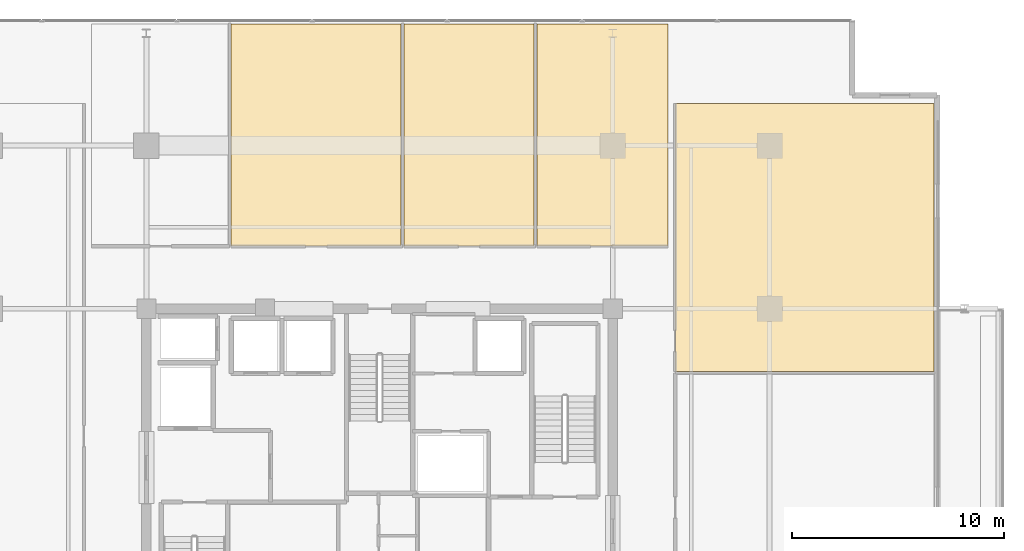
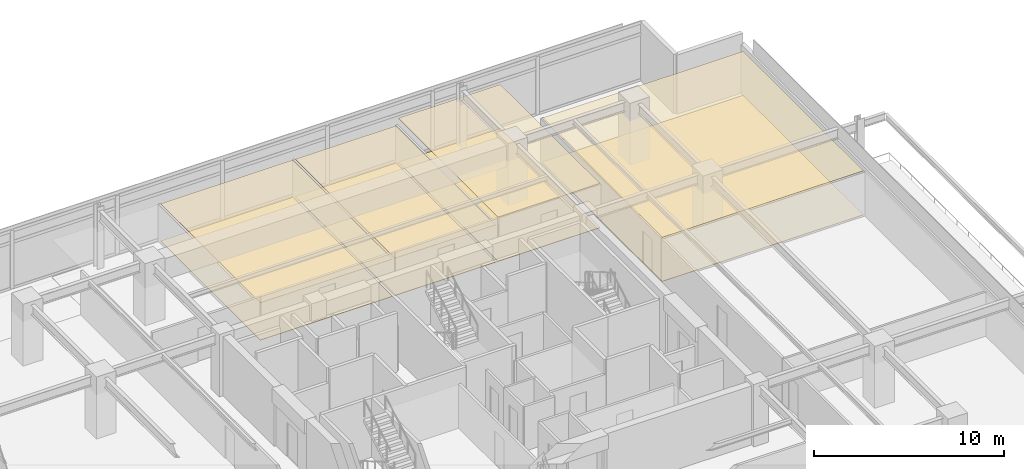
# One storey, part 21 of 21: 8 coverings.
"""IFC4 building model written with IfcOpenShell, lengths in metres."""

from ifc_helpers import new_model, si_unit, direction, frame, origin, place, context, subcontext, project, spatial, polyline, outline, extrude, material, layer, layer_set, type_object, element, save


model = new_model("IFC4")

# Units and contexts
model_context = context("Model", 3, precision=1e-05, world=origin(), true_north=direction((0.0, 1.0)))
body_context = subcontext(model_context, "Body", "Model", "MODEL_VIEW")
ifc_project = project(units=[si_unit("LENGTHUNIT", "METRE"), si_unit("AREAUNIT", "SQUARE_METRE"), si_unit("VOLUMEUNIT", "CUBIC_METRE"), si_unit("PLANEANGLEUNIT", "RADIAN"), si_unit("MASSUNIT", "GRAM", prefix="KILO")], contexts=[model_context])

# Site, building, storey
site_placement = place(None, origin())
site = spatial("IfcSite", under=ifc_project, at=site_placement, CompositionType="ELEMENT")
building_placement = place(site_placement, origin())
building = spatial("IfcBuilding", under=site, at=building_placement, Name="Kovane Verandah Tower", CompositionType="ELEMENT")
storey_placement = place(building_placement, frame((0.0, 0.0, 263.199951171875)))
storey = spatial("IfcBuildingStorey", under=building, at=storey_placement, Name="L61", CompositionType="ELEMENT", Elevation=263.199951171875)

# Coverings
ifc_material_1 = material(Name="Perforated Acoustic Mineral-Fibre Ceiling Tile", Category="gypsum")
ifc_layer_1 = layer(ifc_material_1, 0.02490234375)
ifc_layer_set_1 = layer_set([ifc_layer_1], Name="Perforated Acoustic Mineral-Fibre Ceiling Tile")
covering_type_1 = type_object("IfcCoveringType", Name="CV-CEIL-25", PredefinedType="CEILING", material=ifc_layer_set_1)
covering_1_placement = place(storey_placement, frame((0.0, 0.0, 2.39013671875)))
element("IfcCovering", 1, at=covering_1_placement, inside=storey, type_object=covering_type_1, Name="L61 Collaboration Hub N2 Acoustic Ceiling", PredefinedType="CEILING", context=body_context, shape_type="SweptSolid", body=[
    extrude(outline(polyline([(32.998046875, 39.449951171875), (41.01806640625, 39.449951171875), (41.01806640625, 49.929931640625), (32.998046875, 49.929931640625), (32.998046875, 39.449951171875)])), origin(), (0.0, 0.0, 1.0), 0.02490234375),
])
covering_2_placement = place(storey_placement, frame((0.0, 0.0, 2.39013671875)))
element("IfcCovering", 2, at=covering_2_placement, inside=storey, type_object=covering_type_1, Name="L61 Document and Print Room N3 Acoustic Ceiling", PredefinedType="CEILING", context=body_context, shape_type="SweptSolid", body=[
    extrude(outline(polyline([(41.157958984375, 39.449951171875), (47.27392578125, 39.449951171875), (47.27392578125, 49.929931640625), (41.157958984375, 49.929931640625), (41.157958984375, 39.449951171875)])), origin(), (0.0, 0.0, 1.0), 0.02490234375),
])
covering_3_placement = place(storey_placement, frame((0.0, 0.0, 2.824951171875)))
element("IfcCovering", 3, at=covering_3_placement, inside=storey, type_object=covering_type_1, Name="L61 Open Plan Office N4 Acoustic Ceiling", PredefinedType="CEILING", context=body_context, shape_type="SweptSolid", body=[
    extrude(outline(polyline([(47.4140625, 39.449951171875), (53.60009765625, 39.449951171875), (53.60009765625, 49.929931640625), (47.4140625, 49.929931640625), (47.4140625, 39.449951171875)])), origin(), (0.0, 0.0, 1.0), 0.025146484375),
])
covering_4_placement = place(storey_placement, frame((0.0, 0.0, 2.824951171875)))
element("IfcCovering", 4, at=covering_4_placement, inside=storey, type_object=covering_type_1, Name="L61 Collaboration Hub E3 Acoustic Ceiling", PredefinedType="CEILING", context=body_context, shape_type="SweptSolid", body=[
    extrude(outline(polyline([(53.949951171875, 33.547607421875), (66.15771484375, 33.547607421875), (66.15771484375, 46.179931640625), (53.949951171875, 46.179931640625), (53.949951171875, 33.547607421875)])), origin(), (0.0, 0.0, 1.0), 0.025146484375),
])
ifc_material_2 = material(Name="Polished Terrazzo and Raised-Access Carpet Tile Finish", Category="concrete")
ifc_layer_2 = layer(ifc_material_2, 0.030029296875)
ifc_layer_set_2 = layer_set([ifc_layer_2], Name="Polished Terrazzo and Raised-Access Carpet Tile Finish")
covering_type_2 = type_object("IfcCoveringType", Name="CV-FLOR-30", PredefinedType="FLOORING", material=ifc_layer_set_2)
covering_5_placement = place(storey_placement, origin())
element("IfcCovering", 5, at=covering_5_placement, inside=storey, type_object=covering_type_2, Name="L61 Collaboration Hub N2 Floor Finish", PredefinedType="FLOORING", context=body_context, shape_type="SweptSolid", body=[
    extrude(outline(polyline([(32.998046875, 39.449951171875), (41.01806640625, 39.449951171875), (41.01806640625, 49.929931640625), (32.998046875, 49.929931640625), (32.998046875, 39.449951171875)])), origin(), (0.0, 0.0, 1.0), 0.030029296875),
])
covering_6_placement = place(storey_placement, origin())
element("IfcCovering", 6, at=covering_6_placement, inside=storey, type_object=covering_type_2, Name="L61 Document and Print Room N3 Floor Finish", PredefinedType="FLOORING", context=body_context, shape_type="SweptSolid", body=[
    extrude(outline(polyline([(41.157958984375, 39.449951171875), (47.27392578125, 39.449951171875), (47.27392578125, 49.929931640625), (41.157958984375, 49.929931640625), (41.157958984375, 39.449951171875)])), origin(), (0.0, 0.0, 1.0), 0.030029296875),
])
covering_7_placement = place(storey_placement, origin())
element("IfcCovering", 7, at=covering_7_placement, inside=storey, type_object=covering_type_2, Name="L61 Open Plan Office N4 Floor Finish", PredefinedType="FLOORING", context=body_context, shape_type="SweptSolid", body=[
    extrude(outline(polyline([(47.4140625, 39.449951171875), (53.60009765625, 39.449951171875), (53.60009765625, 49.929931640625), (47.4140625, 49.929931640625), (47.4140625, 39.449951171875)])), origin(), (0.0, 0.0, 1.0), 0.030029296875),
])
covering_8_placement = place(storey_placement, origin())
element("IfcCovering", 8, at=covering_8_placement, inside=storey, type_object=covering_type_2, Name="L61 Collaboration Hub E3 Floor Finish", PredefinedType="FLOORING", context=body_context, shape_type="SweptSolid", body=[
    extrude(outline(polyline([(53.949951171875, 33.547607421875), (66.15771484375, 33.547607421875), (66.15771484375, 46.179931640625), (53.949951171875, 46.179931640625), (53.949951171875, 33.547607421875)])), origin(), (0.0, 0.0, 1.0), 0.030029296875),
])

save(model, "model.ifc")
